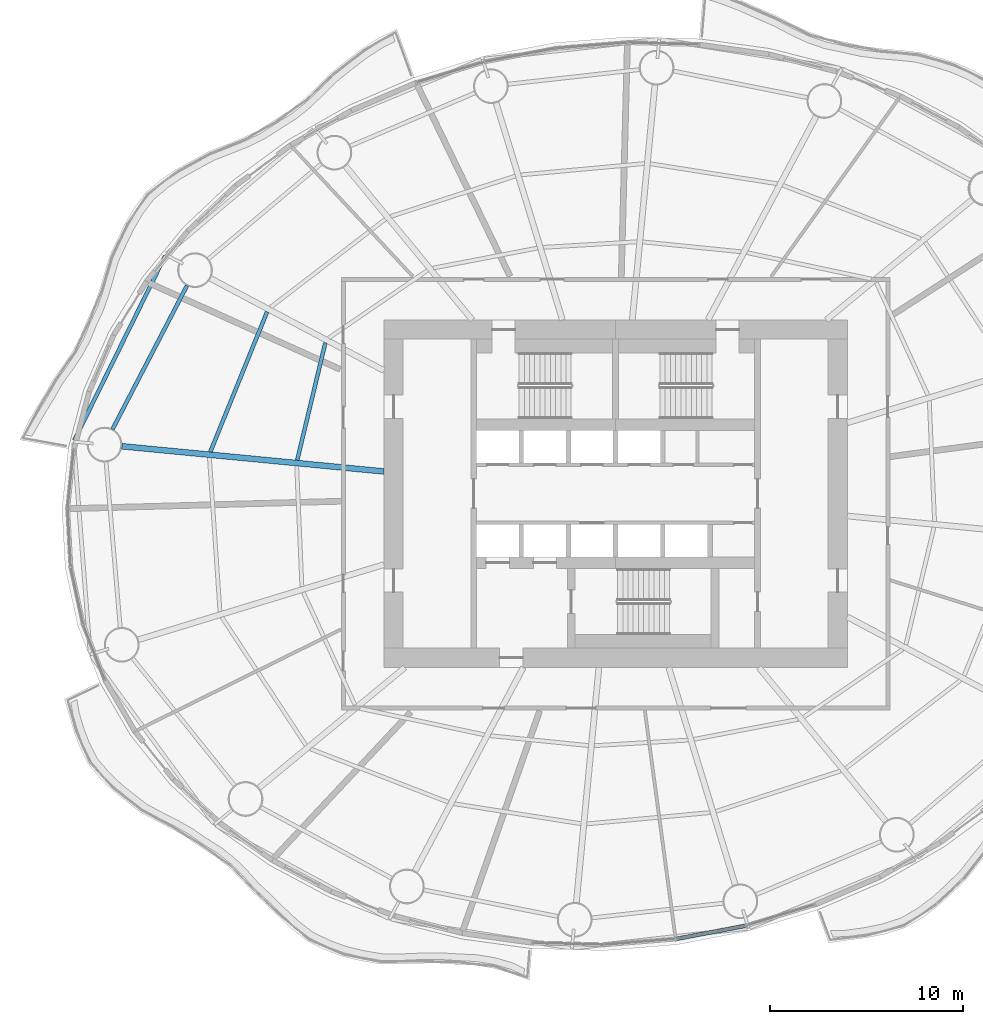
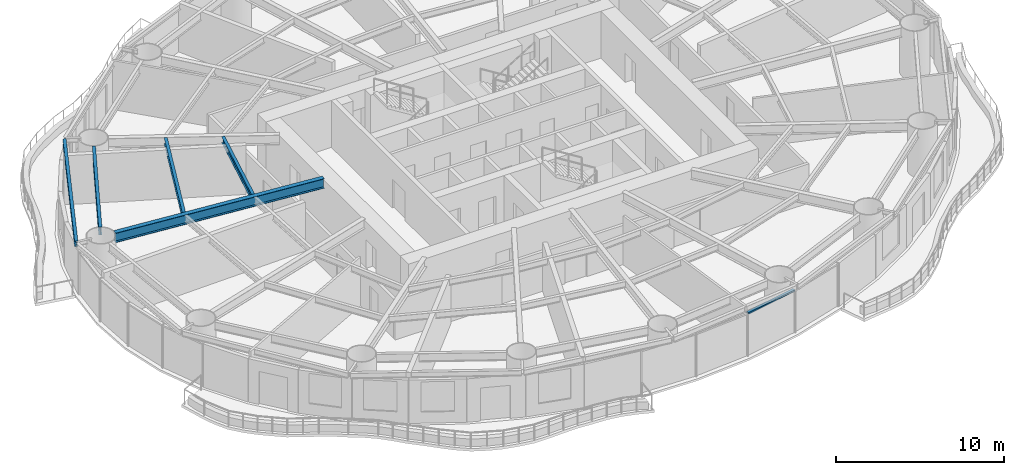
# One storey, part 3 of 16: 5 beams, 1 member, 1 element without a shape of its own.
"""IFC4 building model written with IfcOpenShell, lengths in metres."""

from ifc_helpers import new_model, si_unit, direction, frame, origin, origin_2d, place, context, subcontext, project, spatial, rectangle, i_section, extrude, material, material_profile, profile_set, type_object, element, aggregate, save


model = new_model("IFC4")

# Units and contexts
model_context = context("Model", 3, precision=1e-05, world=origin(), true_north=direction((0.0, 1.0)))
body_context = subcontext(model_context, "Body", "Model", "MODEL_VIEW")
ifc_project = project(units=[si_unit("LENGTHUNIT", "METRE"), si_unit("AREAUNIT", "SQUARE_METRE"), si_unit("VOLUMEUNIT", "CUBIC_METRE"), si_unit("PLANEANGLEUNIT", "RADIAN"), si_unit("MASSUNIT", "GRAM", prefix="KILO")], contexts=[model_context])

# Site, building, storey
site_placement = place(None, origin())
site = spatial("IfcSite", under=ifc_project, at=site_placement, CompositionType="ELEMENT")
building_placement = place(site_placement, origin())
building = spatial("IfcBuilding", under=site, at=building_placement, Name="Vermilion Reach Broadcast Tower", CompositionType="ELEMENT")
storey_placement = place(building_placement, frame((0.0, 0.0, 65.60009765625)))
storey = spatial("IfcBuildingStorey", under=building, at=storey_placement, Name="L13", CompositionType="ELEMENT", Elevation=65.60009765625)

# Beams
ifc_material_1 = material(Name="Steel S355J2", Category="steel")
ifc_material_profile_1 = material_profile(ifc_material_1, i_section(OverallWidth=0.199951171875, OverallDepth=0.39990234375, WebThickness=0.008056640625, FlangeThickness=0.012939453125, at=origin_2d()), Name="S355J2 HN 400x200x8x13")
ifc_profile_set_1 = profile_set([ifc_material_profile_1], Name="Steel S355J2")
beam_type_1 = type_object("IfcBeamType", Name="EB1 HN 400x200x8x13", PredefinedType="BEAM", material=ifc_profile_set_1)
beam_1_placement = place(storey_placement, frame((-29.328125, 12.313720703125, 3.349853515625), z_axis=(-0.441826669441, -0.897100437059, 0.0), x_axis=(0.897100437059, -0.441826669441, 0.0)))
element("IfcBeam", 1, at=beam_1_placement, inside=storey, type_object=beam_type_1, Name="Edge beam EB1-07", PredefinedType="BEAM", context=body_context, shape_type="SweptSolid", body=[
    extrude(i_section(OverallWidth=0.199951171875, OverallDepth=0.39990234375, WebThickness=0.008056640625, FlangeThickness=0.012939453125, at=origin_2d()), origin(), (0.0, 0.0, 1.0), 10.63916015625),
])
ifc_material_2 = material(Name="Steel S355J2", Category="steel")
ifc_material_profile_2 = material_profile(ifc_material_2, i_section(OverallWidth=0.300048828125, OverallDepth=0.699951171875, WebThickness=0.012939453125, FlangeThickness=0.02392578125, at=origin_2d()), Name="S355J2 HN 700x300x13x24")
ifc_profile_set_2 = profile_set([ifc_material_profile_2], Name="Steel S355J2")
beam_type_2 = type_object("IfcBeamType", Name="G1 HN 700x300x13x24", PredefinedType="BEAM", material=ifc_profile_set_2)
beam_2_placement = place(storey_placement, frame((-18.0, 1.1533203125, 3.199951171875), z_axis=(-0.995412178872, 0.095679643363, 0.0), x_axis=(-0.095679643363, -0.995412178872, 0.0)))
element("IfcBeam", 2, at=beam_2_placement, inside=storey, type_object=beam_type_2, Name="Girder G1-08", PredefinedType="BEAM", context=body_context, shape_type="SweptSolid", body=[
    extrude(i_section(OverallWidth=0.300048828125, OverallDepth=0.699951171875, WebThickness=0.012939453125, FlangeThickness=0.02392578125, at=origin_2d()), origin(), (0.0, 0.0, 1.0), 13.630859375),
])
ifc_material_3 = material(Name="Steel S355J2", Category="steel")
ifc_material_profile_3 = material_profile(ifc_material_3, i_section(OverallWidth=0.199951171875, OverallDepth=0.60009765625, WebThickness=0.010986328125, FlangeThickness=0.01708984375, at=origin_2d()), Name="S355J2 HN 600x200x11x17")
ifc_profile_set_3 = profile_set([ifc_material_profile_3], Name="Steel S355J2")
beam_type_3 = type_object("IfcBeamType", Name="RB1 HN 600x200x11x17", PredefinedType="BEAM", material=ifc_profile_set_3)
beam_3_placement = place(storey_placement, frame((-28.194091796875, 10.776611328125, 3.25), z_axis=(-0.460411617218, -0.887705549566, 0.0), x_axis=(0.887705549566, -0.460411617218, 0.0)))
element("IfcBeam", 3, at=beam_3_placement, inside=storey, type_object=beam_type_3, Name="Ring beam RB1-07", PredefinedType="BEAM", context=body_context, shape_type="SweptSolid", body=[
    extrude(i_section(OverallWidth=0.199951171875, OverallDepth=0.60009765625, WebThickness=0.010986328125, FlangeThickness=0.01708984375, at=origin_2d()), origin(), (0.0, 0.0, 1.0), 8.37451171875),
])
ifc_material_4 = material(Name="Steel S355J2", Category="steel")
ifc_material_profile_4 = material_profile(ifc_material_4, i_section(OverallWidth=0.199951171875, OverallDepth=0.449951171875, WebThickness=0.009033203125, FlangeThickness=0.013916015625, at=origin_2d()), Name="S355J2 HN 450x200x9x14")
ifc_profile_set_4 = profile_set([ifc_material_profile_4], Name="Steel S355J2")
beam_type_4 = type_object("IfcBeamType", Name="SB1 HN 450x200x9x14", PredefinedType="BEAM", material=ifc_profile_set_4)
beam_4_placement = place(storey_placement, frame((-21.031005859375, 7.81884765625, 3.324951171875), z_axis=(-0.232844467589, -0.972513986487, 0.0), x_axis=(0.972513986487, -0.232844467589, 0.0)))
element("IfcBeam", 4, at=beam_4_placement, inside=storey, type_object=beam_type_4, Name="Secondary beam SB1-07-1", PredefinedType="BEAM", context=body_context, shape_type="SweptSolid", body=[
    extrude(i_section(OverallWidth=0.199951171875, OverallDepth=0.449951171875, WebThickness=0.009033203125, FlangeThickness=0.013916015625, at=origin_2d()), origin(), (0.0, 0.0, 1.0), 6.25537109375),
])
beam_5_placement = place(storey_placement, frame((-24.046630859375, 9.421630859375, 3.324951171875), z_axis=(-0.375640669938, -0.926765389453, 0.0), x_axis=(0.926765389453, -0.375640669938, 0.0)))
element("IfcBeam", 5, at=beam_5_placement, inside=storey, type_object=beam_type_4, Name="Secondary beam SB1-07-2", PredefinedType="BEAM", context=body_context, shape_type="SweptSolid", body=[
    extrude(i_section(OverallWidth=0.199951171875, OverallDepth=0.449951171875, WebThickness=0.009033203125, FlangeThickness=0.013916015625, at=origin_2d()), origin(), (0.0, 0.0, 1.0), 7.8271484375),
])

# Curtain wall, member
ifc_material_5 = material(Name="Low-e laminated clear glass in aluminium frame", Category="aluminium")
curtain_wall_type = type_object("IfcCurtainWallType", Name="Slot curtain wall", PredefinedType="NOTDEFINED", material=ifc_material_5)
curtain_wall_placement = place(storey_placement, origin())
curtain_wall = element("IfcCurtainWall", 6, at=curtain_wall_placement, inside=storey, type_object=curtain_wall_type, Name="Slot curtain wall L13 36", PredefinedType="NOTDEFINED")
ifc_material_6 = material(Name="Anodised aluminium", Category="aluminium")
ifc_material_profile_5 = material_profile(ifc_material_6, rectangle(XDim=0.199951171875, YDim=0.10009765625, at=origin_2d()), Name="Slot transom 200 x 100")
ifc_profile_set_5 = profile_set([ifc_material_profile_5], Name="Anodised aluminium")
member_type = type_object("IfcMemberType", Name="Slot transom 200 x 100", PredefinedType="USERDEFINED", material=ifc_profile_set_5)
member_placement = place(storey_placement, frame((-2.850830078125, -23.053466796875, 3.099853515625), z_axis=(0.982432184032, 0.186619944749, 0.0), x_axis=(-0.186619944749, 0.982432184032, 0.0)))
member = element("IfcMember", 7, at=member_placement, type_object=member_type, Name="Slot transom L13 36.1", ObjectType="TRANSOM", PredefinedType="USERDEFINED", context=body_context, shape_type="SweptSolid", body=[
    extrude(rectangle(XDim=0.199951171875, YDim=0.10009765625, at=origin_2d()), origin(), (0.0, 0.0, 1.0), 3.647216796875),
])
aggregate(curtain_wall, [member])

save(model, "model.ifc")
